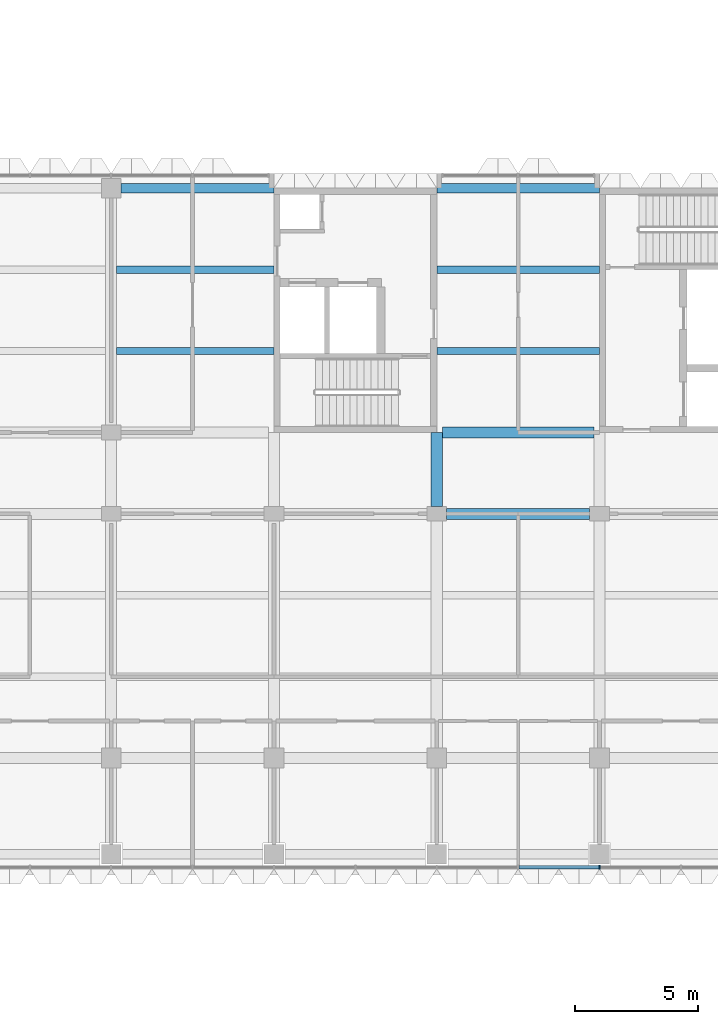
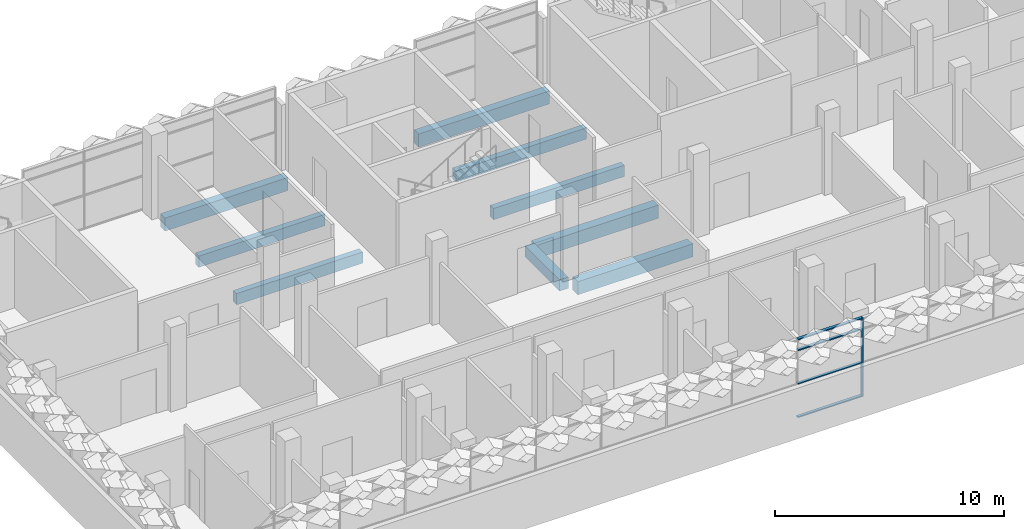
# One storey, part 5 of 102: 9 beams, 5 members, 1 element without a shape of its own.
"""IFC4 building model written with IfcOpenShell, lengths in metres."""

import ifcopenshell
import ifcopenshell.guid

model = None  # the IFC model being written
_history = None  # IfcOwnerHistory: only IFC2X3 demands one
_inside = {}  # id of a spatial element -> (the spatial element, [elements in it])
_under = {}  # id of a project, library or spatial element -> (it, [spatial elements below it])
_declared = {}  # id of a project -> (the project, [libraries it declares])
_typed = {}  # id of a type object -> (the type object, [elements of that type])
_made_of = {}  # id of a material, layer set ... -> (it, [elements and type objects made of it])


def new_model(schema):
    """Start an empty IFC model of exactly this schema.

    Asked for "IFC4X3", IfcOpenShell would pick the latest addendum, in which some entities
    have other attributes; the version numbers below select the first issue.
    IFC2X3 requires an IfcOwnerHistory on every rooted entity: one is made here for all.
    """
    global model, _history
    if schema == "IFC4X3":
        model = ifcopenshell.file(schema_version=(4, 3, 0, 0))
    else:
        model = ifcopenshell.file(schema=schema)
    _inside.clear()
    _under.clear()
    _declared.clear()
    _typed.clear()
    _made_of.clear()
    _history = None
    if model.schema == "IFC2X3":
        org = make("IfcOrganization", Name="unknown")
        user = make(
            "IfcPersonAndOrganization",
            ThePerson=make("IfcPerson", FamilyName="unknown"),
            TheOrganization=org,
        )
        app = make(
            "IfcApplication",
            ApplicationDeveloper=org,
            Version="unknown",
            ApplicationFullName="unknown",
            ApplicationIdentifier="unknown",
        )
        _history = make(
            "IfcOwnerHistory",
            OwningUser=user,
            OwningApplication=app,
            ChangeAction="ADDED",
            CreationDate=0,
        )
    return model


def make(cls, **values):
    """One entity of the class cls with the attributes given. An attribute that is None is left unset."""
    return model.create_entity(
        cls, **{name: value for name, value in values.items() if value is not None}
    )


def rooted(cls, **values):
    """An entity with a GlobalId (a new one), such as an element, a storey or a relation."""
    return make(cls, GlobalId=ifcopenshell.guid.new(), OwnerHistory=_history, **values)


def si_unit(unit_type, name, prefix=None):
    """IfcSIUnit, for example si_unit("LENGTHUNIT", "METRE", prefix="MILLI")."""
    return make("IfcSIUnit", UnitType=unit_type, Prefix=prefix, Name=name)


def assignment(units):
    """IfcUnitAssignment: the units of a project."""
    return None if units is None else make("IfcUnitAssignment", Units=units)


def point(xyz):
    """IfcCartesianPoint."""
    return None if xyz is None else make("IfcCartesianPoint", Coordinates=xyz)


def direction(xyz):
    """IfcDirection."""
    return None if xyz is None else make("IfcDirection", DirectionRatios=xyz)


def frame(location, z_axis=None, x_axis=None):
    """IfcAxis2Placement3D, a coordinate frame: its origin and axes. An axis left out is left unset."""
    return make(
        "IfcAxis2Placement3D",
        Location=point(location),
        Axis=direction(z_axis),
        RefDirection=direction(x_axis),
    )


def frame_2d(location, x_axis=None):
    """IfcAxis2Placement2D, a coordinate frame in the plane: its origin and x axis."""
    return make(
        "IfcAxis2Placement2D", Location=point(location), RefDirection=direction(x_axis)
    )


def origin():
    """The frame at (0, 0, 0) with its axes left unset."""
    return frame((0.0, 0.0, 0.0))


def origin_2d():
    """The frame at (0, 0) in the plane with its x axis left unset."""
    return frame_2d((0.0, 0.0))


def place(relative_to, where):
    """IfcLocalPlacement: puts the frame where relative to a parent placement (None: the world)."""
    return make(
        "IfcLocalPlacement", PlacementRelTo=relative_to, RelativePlacement=where
    )


def context(
    kind, dimensions, precision=None, world=None, true_north=None, identifier=None
):
    """IfcGeometricRepresentationContext, for example the 3D "Model" context."""
    return make(
        "IfcGeometricRepresentationContext",
        ContextIdentifier=identifier,
        ContextType=kind,
        CoordinateSpaceDimension=dimensions,
        Precision=precision,
        WorldCoordinateSystem=world,
        TrueNorth=true_north,
    )


def subcontext(parent, identifier, kind, view, scale=None):
    """IfcGeometricRepresentationSubContext, for example "Body" below "Model"."""
    return make(
        "IfcGeometricRepresentationSubContext",
        ContextIdentifier=identifier,
        ContextType=kind,
        ParentContext=parent,
        TargetScale=scale,
        TargetView=view,
    )


def project(units=None, contexts=None):
    """IfcProject with its units and contexts."""
    return rooted(
        "IfcProject",
        Name="project",
        RepresentationContexts=contexts,
        UnitsInContext=assignment(units),
    )


def spatial(cls, under=None, at=None, **own):
    """A site, building, storey or space (cls), placed at a placement, below another one or the project."""
    s = rooted(cls, ObjectPlacement=at, **own)
    if under is not None:
        _under.setdefault(under.id(), (under, []))[1].append(s)
    return s


def profile(cls, at=None, kind="AREA", **sizes):
    """A parametric profile (cls). Its sizes go by their IFC names, for example OverallWidth=200.0."""
    return make(cls, ProfileType=kind, Position=at, **sizes)


def rectangle(**sizes):
    """IfcRectangleProfileDef."""
    return profile("IfcRectangleProfileDef", **sizes)


def extrude(swept, where, along, depth):
    """IfcExtrudedAreaSolid: the profile swept, set in the frame where, extruded along a direction by depth."""
    return make(
        "IfcExtrudedAreaSolid",
        SweptArea=swept,
        Position=where,
        ExtrudedDirection=direction(along),
        Depth=depth,
    )


def shape(context_of_items, identifier, shape_type, items):
    """IfcShapeRepresentation: the items that make up one representation, for example the "Body"."""
    return make(
        "IfcShapeRepresentation",
        ContextOfItems=context_of_items,
        RepresentationIdentifier=identifier,
        RepresentationType=shape_type,
        Items=items,
    )


def material(Name=None, Category=None):
    """IfcMaterial."""
    return make("IfcMaterial", Name=Name, Category=Category)


def material_profile(
    of_material, cross_section, Name=None, Category=None, Priority=None
):
    """IfcMaterialProfile: a cross section and its material."""
    return make(
        "IfcMaterialProfile",
        Name=Name,
        Material=of_material,
        Profile=cross_section,
        Priority=Priority,
        Category=Category,
    )


def profile_set(profiles, Name=None, composite=None):
    """IfcMaterialProfileSet."""
    return make(
        "IfcMaterialProfileSet",
        Name=Name,
        MaterialProfiles=profiles,
        CompositeProfile=composite,
    )


def made_of(thing, what):
    """Note that an element or type object is made of a material, layer set ...; save() writes the relation."""
    if what is not None:
        _made_of.setdefault(what.id(), (what, []))[1].append(thing)
    return thing


def type_object(cls, material=None, **own):
    """A type object (cls), such as IfcWallType, which elements share."""
    return made_of(rooted(cls, **own), material)


def element(
    cls,
    number,
    at=None,
    inside=None,
    cuts=None,
    type_object=None,
    material=None,
    context=None,
    identifier="Body",
    shape_type=None,
    held_by="IfcProductDefinitionShape",
    body=None,
    shapes=None,
    **own,
):
    """One element of the class cls, such as IfcWall. Its Tag is "e" and its number.

    at: its placement. inside: the storey or other place that contains it. cuts: it is an
    opening in that element (IfcRelVoidsElement). A single representation is given by context,
    identifier, shape_type and body (its items); several are given by shapes. held_by: the class
    of the entity that holds the representations. save() writes the other relations.
    """
    e = rooted(cls, Tag="e%d" % number, ObjectPlacement=at, **own)
    if body is not None:
        shapes = [shape(context, identifier, shape_type, body)]
    if shapes is not None:
        e.Representation = make(held_by, Representations=shapes)
    if inside is not None:
        _inside.setdefault(inside.id(), (inside, []))[1].append(e)
    if cuts is not None:
        rooted(
            "IfcRelVoidsElement", RelatingBuildingElement=cuts, RelatedOpeningElement=e
        )
    if type_object is not None:
        _typed.setdefault(type_object.id(), (type_object, []))[1].append(e)
    return made_of(e, material)


def aggregate(whole, parts):
    """IfcRelAggregates: a whole, such as a stair, and the parts it consists of."""
    return rooted("IfcRelAggregates", RelatingObject=whole, RelatedObjects=parts)


def save(model, path):
    """Write the relations noted so far, then the file.

    IfcRelAggregates (storeys below a building ...), IfcRelContainedInSpatialStructure (elements
    in a storey), IfcRelDefinesByType, IfcRelAssociatesMaterial and IfcRelDeclares: one each for
    every whole, place, type object, material and project.
    """
    for whole, parts in _under.values():
        aggregate(whole, parts)
    for where, things in _inside.values():
        rooted(
            "IfcRelContainedInSpatialStructure",
            RelatedElements=things,
            RelatingStructure=where,
        )
    for kind, things in _typed.values():
        rooted("IfcRelDefinesByType", RelatedObjects=things, RelatingType=kind)
    for what, things in _made_of.values():
        rooted("IfcRelAssociatesMaterial", RelatedObjects=things, RelatingMaterial=what)
    for by, libraries in _declared.values():
        rooted("IfcRelDeclares", RelatingContext=by, RelatedDefinitions=libraries)
    model.write(path)


model = new_model("IFC4")

# Units and contexts
model_context = context("Model", 3, precision=1e-05, world=origin(), true_north=direction((0.0, 1.0)))
body_context = subcontext(model_context, "Body", "Model", "MODEL_VIEW")
ifc_project = project(units=[si_unit("LENGTHUNIT", "METRE"), si_unit("AREAUNIT", "SQUARE_METRE"), si_unit("VOLUMEUNIT", "CUBIC_METRE"), si_unit("PLANEANGLEUNIT", "RADIAN"), si_unit("MASSUNIT", "GRAM", prefix="KILO")], contexts=[model_context])

# Site, building, storey
site_placement = place(None, origin())
site = spatial("IfcSite", under=ifc_project, at=site_placement, CompositionType="ELEMENT")
building_placement = place(site_placement, origin())
building = spatial("IfcBuilding", under=site, at=building_placement, Name="Lantern Court Research Institute", CompositionType="ELEMENT")
storey_placement = place(building_placement, frame((0.0, 0.0, 9.89990234375)))
storey = spatial("IfcBuildingStorey", under=building, at=storey_placement, Name="L02", CompositionType="ELEMENT", Elevation=9.89990234375)

# Curtain wall, member
ifc_material_1 = material(Name="Aluminium alloy 6063-T6", Category="aluminium")
curtain_wall_type = type_object("IfcCurtainWallType", Name="Curtain wall 52800 x 4200 x 150 aluminium frame", PredefinedType="NOTDEFINED", material=ifc_material_1)
curtain_wall_placement = place(storey_placement, origin())
curtain_wall = element("IfcCurtainWall", 1, at=curtain_wall_placement, inside=storey, type_object=curtain_wall_type, Name="Curtain wall CW041", PredefinedType="NOTDEFINED")
ifc_material_2 = material(Name="Aluminium alloy 6063-T6", Category="aluminium")
ifc_material_profile_1 = material_profile(ifc_material_2, rectangle(XDim=0.14990234375, YDim=0.06005859375, at=origin_2d()), Name="Mullion 150 x 60")
ifc_profile_set_1 = profile_set([ifc_material_profile_1], Name="Aluminium alloy 6063-T6")
member_type_1 = type_object("IfcMemberType", Name="Mullion 150 x 60 aluminium", PredefinedType="MULLION", material=ifc_profile_set_1)
member_1_placement = place(storey_placement, frame((33.0, -4.425048828125, 0.0), z_axis=(0.0, 0.0, 1.0), x_axis=(0.0, -1.0, 0.0)))
member_1 = element("IfcMember", 2, at=member_1_placement, type_object=member_type_1, Name="CW041 mullion 11", PredefinedType="MULLION", context=body_context, shape_type="SweptSolid", body=[
    extrude(rectangle(XDim=0.14990234375, YDim=0.06005859375, at=origin_2d()), origin(), (0.0, 0.0, 1.0), 4.2001953125),
])

# Beams
ifc_material_3 = material(Name="Concrete C40/50", Category="concrete")
ifc_material_profile_2 = material_profile(ifc_material_3, rectangle(XDim=0.449951171875, YDim=0.699951171875, at=origin_2d()), Name="RC beam 450 x 700")
ifc_profile_set_2 = profile_set([ifc_material_profile_2], Name="Concrete C40/50")
beam_type_1 = type_object("IfcBeamType", Name="RC beam 450 x 700", PredefinedType="BEAM", material=ifc_profile_set_2)
beam_1_placement = place(storey_placement, frame((26.800048828125, 9.89990234375, -0.64990234375), z_axis=(1.0, 0.0, 0.0), x_axis=(0.0, 1.0, 0.0)))
element("IfcBeam", 3, at=beam_1_placement, inside=storey, type_object=beam_type_1, Name="Beam L02 grid B/5-6", PredefinedType="BEAM", context=body_context, shape_type="SweptSolid", body=[
    extrude(rectangle(XDim=0.449951171875, YDim=0.699951171875, at=origin_2d()), origin(), (0.0, 0.0, 1.0), 5.800048828125),
])
beam_2_placement = place(storey_placement, frame((26.625, 13.199951171875, -0.64990234375), z_axis=(1.0, 0.0, 0.0), x_axis=(0.0, 1.0, 0.0)))
element("IfcBeam", 4, at=beam_2_placement, inside=storey, type_object=beam_type_1, Name="Beam L02 grid C/5-6", PredefinedType="BEAM", context=body_context, shape_type="SweptSolid", body=[
    extrude(rectangle(XDim=0.449951171875, YDim=0.699951171875, at=origin_2d()), origin(), (0.0, 0.0, 1.0), 6.14990234375),
])
ifc_material_4 = material(Name="Concrete C40/50", Category="concrete")
ifc_material_profile_3 = material_profile(ifc_material_4, rectangle(XDim=0.39990234375, YDim=0.699951171875, at=origin_2d()), Name="RC beam 400 x 700")
ifc_profile_set_3 = profile_set([ifc_material_profile_3], Name="Concrete C40/50")
beam_type_2 = type_object("IfcBeamType", Name="RC edge beam 400 x 700", PredefinedType="BEAM", material=ifc_profile_set_3)
beam_3_placement = place(storey_placement, frame((13.60009765625, 23.10009765625, -0.64990234375), z_axis=(1.0, 0.0, 0.0), x_axis=(0.0, 1.0, 0.0)))
element("IfcBeam", 5, at=beam_3_placement, inside=storey, type_object=beam_type_2, Name="Edge beam L02 grid D/3-4", PredefinedType="BEAM", context=body_context, shape_type="SweptSolid", body=[
    extrude(rectangle(XDim=0.39990234375, YDim=0.699951171875, at=origin_2d()), origin(), (0.0, 0.0, 1.0), 6.199951171875),
])
beam_4_placement = place(storey_placement, frame((26.39990234375, 23.10009765625, -0.64990234375), z_axis=(1.0, 0.0, 0.0), x_axis=(0.0, 1.0, 0.0)))
element("IfcBeam", 6, at=beam_4_placement, inside=storey, type_object=beam_type_2, Name="Edge beam L02 grid D/5-6", PredefinedType="BEAM", context=body_context, shape_type="SweptSolid", body=[
    extrude(rectangle(XDim=0.39990234375, YDim=0.699951171875, at=origin_2d()), origin(), (0.0, 0.0, 1.0), 6.60009765625),
])
ifc_material_5 = material(Name="Concrete C40/50", Category="concrete")
ifc_material_profile_4 = material_profile(ifc_material_5, rectangle(XDim=0.300048828125, YDim=0.60009765625, at=origin_2d()), Name="RC beam 300 x 600")
ifc_profile_set_4 = profile_set([ifc_material_profile_4], Name="Concrete C40/50")
beam_type_3 = type_object("IfcBeamType", Name="RC secondary beam 300 x 600", PredefinedType="BEAM", material=ifc_profile_set_4)
beam_5_placement = place(storey_placement, frame((13.425048828125, 16.5, -0.599853515625), z_axis=(1.0, 0.0, 0.0), x_axis=(0.0, 1.0, 0.0)))
element("IfcBeam", 7, at=beam_5_placement, inside=storey, type_object=beam_type_3, Name="Secondary beam L02 grids 3-4 / C-D, line 1", PredefinedType="BEAM", context=body_context, shape_type="SweptSolid", body=[
    extrude(rectangle(XDim=0.300048828125, YDim=0.60009765625, at=origin_2d()), origin(), (0.0, 0.0, 1.0), 6.375),
])
beam_6_placement = place(storey_placement, frame((26.39990234375, 16.5, -0.599853515625), z_axis=(1.0, 0.0, 0.0), x_axis=(0.0, 1.0, 0.0)))
element("IfcBeam", 8, at=beam_6_placement, inside=storey, type_object=beam_type_3, Name="Secondary beam L02 grids 5-6 / C-D, line 1", PredefinedType="BEAM", context=body_context, shape_type="SweptSolid", body=[
    extrude(rectangle(XDim=0.300048828125, YDim=0.60009765625, at=origin_2d()), origin(), (0.0, 0.0, 1.0), 6.60009765625),
])
beam_7_placement = place(storey_placement, frame((13.425048828125, 19.800048828125, -0.599853515625), z_axis=(1.0, 0.0, 0.0), x_axis=(0.0, 1.0, 0.0)))
element("IfcBeam", 9, at=beam_7_placement, inside=storey, type_object=beam_type_3, Name="Secondary beam L02 grids 3-4 / C-D, line 2", PredefinedType="BEAM", context=body_context, shape_type="SweptSolid", body=[
    extrude(rectangle(XDim=0.300048828125, YDim=0.60009765625, at=origin_2d()), origin(), (0.0, 0.0, 1.0), 6.375),
])
beam_8_placement = place(storey_placement, frame((26.39990234375, 19.800048828125, -0.599853515625), z_axis=(1.0, 0.0, 0.0), x_axis=(0.0, 1.0, 0.0)))
element("IfcBeam", 10, at=beam_8_placement, inside=storey, type_object=beam_type_3, Name="Secondary beam L02 grids 5-6 / C-D, line 2", PredefinedType="BEAM", context=body_context, shape_type="SweptSolid", body=[
    extrude(rectangle(XDim=0.300048828125, YDim=0.60009765625, at=origin_2d()), origin(), (0.0, 0.0, 1.0), 6.60009765625),
])
ifc_material_6 = material(Name="Concrete C40/50", Category="concrete")
ifc_material_profile_5 = material_profile(ifc_material_6, rectangle(XDim=0.449951171875, YDim=0.60009765625, at=origin_2d()), Name="RC beam 450 x 600")
ifc_profile_set_5 = profile_set([ifc_material_profile_5], Name="Concrete C40/50")
beam_type_4 = type_object("IfcBeamType", Name="RC spine beam 450 x 600", PredefinedType="BEAM", material=ifc_profile_set_5)
beam_9_placement = place(storey_placement, frame((26.39990234375, 10.199951171875, -0.599853515625), z_axis=(0.0, 1.0, 0.0), x_axis=(-1.0, 0.0, 0.0)))
element("IfcBeam", 11, at=beam_9_placement, inside=storey, type_object=beam_type_4, Name="Beam L02 grid 5/B-C", PredefinedType="BEAM", context=body_context, shape_type="SweptSolid", body=[
    extrude(rectangle(XDim=0.449951171875, YDim=0.60009765625, at=origin_2d()), origin(), (0.0, 0.0, 1.0), 3.0),
])

# Member
ifc_material_7 = material(Name="Aluminium alloy 6063-T6", Category="aluminium")
ifc_material_profile_6 = material_profile(ifc_material_7, rectangle(XDim=0.14990234375, YDim=0.06005859375, at=origin_2d()), Name="Transom 150 x 60")
ifc_profile_set_6 = profile_set([ifc_material_profile_6], Name="Aluminium alloy 6063-T6")
member_type_2 = type_object("IfcMemberType", Name="Transom 150 x 60 aluminium", PredefinedType="USERDEFINED", material=ifc_profile_set_6)
member_2_placement = place(storey_placement, frame((32.969970703125, -4.425048828125, 0.030029296875), z_axis=(-1.0, 0.0, 0.0), x_axis=(0.0, -1.0, 0.0)))
member_2 = element("IfcMember", 12, at=member_2_placement, type_object=member_type_2, Name="CW041 transom 10.1", ObjectType="TRANSOM", PredefinedType="USERDEFINED", context=body_context, shape_type="SweptSolid", body=[
    extrude(rectangle(XDim=0.14990234375, YDim=0.06005859375, at=origin_2d()), origin(), (0.0, 0.0, 1.0), 3.239990234375),
])

member_3_placement = place(storey_placement, frame((32.969970703125, -4.425048828125, 1.800048828125), z_axis=(-1.0, 0.0, 0.0), x_axis=(0.0, -1.0, 0.0)))
member_3 = element("IfcMember", 13, at=member_3_placement, type_object=member_type_2, Name="CW041 transom 10.2", ObjectType="TRANSOM", PredefinedType="USERDEFINED", context=body_context, shape_type="SweptSolid", body=[
    extrude(rectangle(XDim=0.14990234375, YDim=0.06005859375, at=origin_2d()), origin(), (0.0, 0.0, 1.0), 3.239990234375),
])

member_4_placement = place(storey_placement, frame((32.969970703125, -4.425048828125, 3.60009765625), z_axis=(-1.0, 0.0, 0.0), x_axis=(0.0, -1.0, 0.0)))
member_4 = element("IfcMember", 14, at=member_4_placement, type_object=member_type_2, Name="CW041 transom 10.3", ObjectType="TRANSOM", PredefinedType="USERDEFINED", context=body_context, shape_type="SweptSolid", body=[
    extrude(rectangle(XDim=0.14990234375, YDim=0.06005859375, at=origin_2d()), origin(), (0.0, 0.0, 1.0), 3.239990234375),
])

member_5_placement = place(storey_placement, frame((32.969970703125, -4.425048828125, 4.170166015625), z_axis=(-1.0, 0.0, 0.0), x_axis=(0.0, -1.0, 0.0)))
member_5 = element("IfcMember", 15, at=member_5_placement, type_object=member_type_2, Name="CW041 transom 10.4", ObjectType="TRANSOM", PredefinedType="USERDEFINED", context=body_context, shape_type="SweptSolid", body=[
    extrude(rectangle(XDim=0.14990234375, YDim=0.06005859375, at=origin_2d()), origin(), (0.0, 0.0, 1.0), 3.239990234375),
])

aggregate(curtain_wall, [member_1, member_2, member_3, member_4, member_5])

save(model, "model.ifc")
